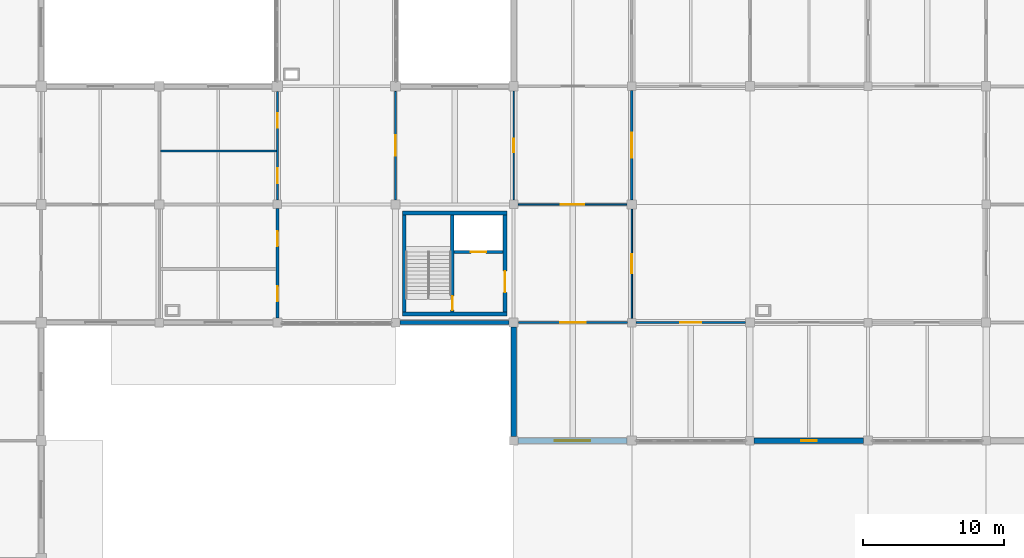
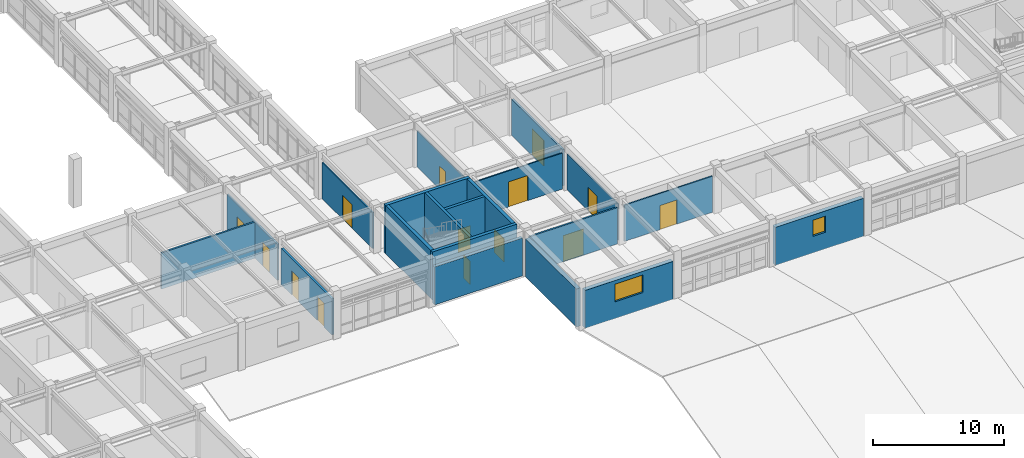
# One storey, part 62 of 78: 20 walls, 14 doors, 2 windows, 16 openings.
"""IFC4 building model written with IfcOpenShell, lengths in metres."""

from ifc_helpers import new_model, si_unit, direction, frame, frame_2d, origin, place, context, subcontext, project, spatial, rectangle, extrude, material, layer, layer_set, type_object, element, fill, save


model = new_model("IFC4")

# Units and contexts
model_context = context("Model", 3, precision=1e-05, world=origin(), true_north=direction((0.0, 1.0)))
body_context = subcontext(model_context, "Body", "Model", "MODEL_VIEW")
ifc_project = project(units=[si_unit("LENGTHUNIT", "METRE"), si_unit("AREAUNIT", "SQUARE_METRE"), si_unit("VOLUMEUNIT", "CUBIC_METRE"), si_unit("PLANEANGLEUNIT", "RADIAN"), si_unit("MASSUNIT", "GRAM", prefix="KILO")], contexts=[model_context])

# Site, building, storey
site_placement = place(None, origin())
site = spatial("IfcSite", under=ifc_project, at=site_placement, CompositionType="ELEMENT")
building_placement = place(site_placement, origin())
building = spatial("IfcBuilding", under=site, at=building_placement, Name="Porcellanite Civic Hall", CompositionType="ELEMENT")
storey_placement = place(building_placement, frame((0.0, 0.0, 10.260009765625)))
storey = spatial("IfcBuildingStorey", under=building, at=storey_placement, Name="L02", CompositionType="ELEMENT", Elevation=10.260009765625)

# Wall, opening, door
ifc_material_1 = material(Name="Concrete N40 (40 MPa)", Category="concrete")
ifc_layer_1 = layer(ifc_material_1, 0.239990234375)
ifc_layer_set_1 = layer_set([ifc_layer_1], Name="Concrete N40 (40 MPa)")
wall_type_1 = type_object("IfcWallType", Name="CW-SH240", PredefinedType="SHEAR", material=ifc_layer_set_1)
wall_1_placement = place(storey_placement, frame((62.840087890625, 51.159912109375, 0.0), z_axis=(0.0, 0.0, 1.0), x_axis=(0.0, 1.0, 0.0)))
wall_1 = element("IfcWall", 1, at=wall_1_placement, inside=storey, type_object=wall_type_1, Name="Core divider C5 L02", PredefinedType="SHEAR", context=body_context, shape_type="SweptSolid", body=[
    extrude(rectangle(XDim=6.880126953125, YDim=0.239990234375, at=frame_2d((3.43994140625, 0.0))), origin(), (0.0, 0.0, 1.0), 4.5),
])
opening_1_placement = place(wall_1_placement, frame((0.1201171875, 0.0, 0.0)))
opening_1 = element("IfcOpeningElement", 2, at=opening_1_placement, cuts=wall_1, Name="Opening FD-C5-L02-ST", PredefinedType="OPENING", context=body_context, shape_type="SweptSolid", body=[
    extrude(rectangle(XDim=1.0, YDim=2.14990234375, at=frame_2d((0.5, 1.074951171875))), frame((0.0, 0.1201171875, 0.0), z_axis=(0.0, -1.0, 0.0), x_axis=(1.0, 0.0, 0.0)), (0.0, 0.0, 1.0), 0.239990234375),
])
ifc_material_2 = material(Name="Fire-rated solid-core hardwood timber", Category="wood")
door_type_1 = type_object("IfcDoorType", Name="DR-FD100", OperationType="NOTDEFINED", PredefinedType="DOOR", material=ifc_material_2)
door_1_placement = place(opening_1_placement, origin())
door_1 = element("IfcDoor", 3, at=door_1_placement, inside=storey, type_object=door_type_1, Name="Fire stair door FD-C5-L02-ST", OperationType="SINGLE_SWING_RIGHT", OverallHeight=2.14990234375, OverallWidth=1.0, PredefinedType="DOOR", context=body_context, shape_type="SweptSolid", body=[
    extrude(rectangle(XDim=1.0, YDim=2.14990234375, at=frame_2d((0.5, 1.074951171875))), frame((0.0, 0.02490234375, 0.0), z_axis=(0.0, -1.0, 0.0), x_axis=(1.0, 0.0, 0.0)), (0.0, 0.0, 1.0), 0.050048828125),
])
fill(opening_1, door_1)

wall_2_placement = place(storey_placement, frame((62.9599609375, 55.419921875, 0.0), z_axis=(0.0, 0.0, 1.0), x_axis=(1.0, 0.0, 0.0)))
wall_2 = element("IfcWall", 4, at=wall_2_placement, inside=storey, type_object=wall_type_1, Name="Lift shaft wall C5 L02", PredefinedType="SHEAR", context=body_context, shape_type="SweptSolid", body=[
    extrude(rectangle(XDim=3.47998046875, YDim=0.239990234375, at=frame_2d((1.739990234375, 0.0))), origin(), (0.0, 0.0, 1.0), 4.5),
])
opening_2_placement = place(wall_2_placement, frame((1.18994140625, 0.0, 0.0)))
opening_2 = element("IfcOpeningElement", 5, at=opening_2_placement, cuts=wall_2, Name="Opening LD-05", PredefinedType="OPENING", context=body_context, shape_type="SweptSolid", body=[
    extrude(rectangle(XDim=1.10009765625, YDim=2.14990234375, at=frame_2d((0.550048828125, 1.074951171875))), frame((0.0, 0.1201171875, 0.0), z_axis=(0.0, -1.0, 0.0), x_axis=(1.0, 0.0, 0.0)), (0.0, 0.0, 1.0), 0.239990234375),
])
ifc_material_3 = material(Name="Brushed stainless steel 316", Category="steel")
door_type_2 = type_object("IfcDoorType", Name="DR-LD110", OperationType="DOUBLE_DOOR_SLIDING", PredefinedType="DOOR", material=ifc_material_3)
door_2_placement = place(opening_2_placement, origin())
door_2 = element("IfcDoor", 6, at=door_2_placement, inside=storey, type_object=door_type_2, Name="Lift landing sliding door LD-05 L02", OperationType="DOUBLE_DOOR_SLIDING", OverallHeight=2.14990234375, OverallWidth=1.10009765625, PredefinedType="DOOR", context=body_context, shape_type="SweptSolid", body=[
    extrude(rectangle(XDim=1.10009765625, YDim=2.14990234375, at=frame_2d((0.550048828125, 1.074951171875))), frame((0.0, 0.02490234375, 0.0), z_axis=(0.0, -1.0, 0.0), x_axis=(1.0, 0.0, 0.0)), (0.0, 0.0, 1.0), 0.050048828125),
])
fill(opening_2, door_2)

# Walls
ifc_material_4 = material(Name="Concrete N40 (40 MPa)", Category="concrete")
ifc_layer_2 = layer(ifc_material_4, 0.280029296875)
ifc_layer_set_2 = layer_set([ifc_layer_2], Name="Concrete N40 (40 MPa)")
wall_type_2 = type_object("IfcWallType", Name="CW-SH280", PredefinedType="SHEAR", material=ifc_layer_set_2)
wall_3_placement = place(storey_placement, frame((66.719970703125, 51.02001953125, 0.0), z_axis=(0.0, 0.0, 1.0), x_axis=(-1.0, 0.0, 0.0)))
element("IfcWall", 7, at=wall_3_placement, inside=storey, type_object=wall_type_2, Name="Core wall C5 L02 S", PredefinedType="SHEAR", context=body_context, shape_type="SweptSolid", body=[
    extrude(rectangle(XDim=7.43994140625, YDim=0.280029296875, at=frame_2d((3.719970703125, 0.0))), origin(), (0.0, 0.0, 1.0), 4.5),
])
wall_4_placement = place(storey_placement, frame((59.419921875, 51.159912109375, 0.0), z_axis=(0.0, 0.0, 1.0), x_axis=(0.0, 1.0, 0.0)))
element("IfcWall", 8, at=wall_4_placement, inside=storey, type_object=wall_type_2, Name="Core wall C5 L02 W", PredefinedType="SHEAR", context=body_context, shape_type="SweptSolid", body=[
    extrude(rectangle(XDim=6.880126953125, YDim=0.280029296875, at=frame_2d((3.43994140625, 0.0))), origin(), (0.0, 0.0, 1.0), 4.5),
])
wall_5_placement = place(storey_placement, frame((59.280029296875, 58.179931640625, 0.0), z_axis=(0.0, 0.0, 1.0), x_axis=(1.0, 0.0, 0.0)))
element("IfcWall", 9, at=wall_5_placement, inside=storey, type_object=wall_type_2, Name="Core wall C5 L02 N", PredefinedType="SHEAR", context=body_context, shape_type="SweptSolid", body=[
    extrude(rectangle(XDim=7.43994140625, YDim=0.280029296875, at=frame_2d((3.719970703125, 0.0))), origin(), (0.0, 0.0, 1.0), 4.5),
])

# Wall, opening, door
wall_6_placement = place(storey_placement, frame((66.580078125, 58.0400390625, 0.0), z_axis=(0.0, 0.0, 1.0), x_axis=(0.0, -1.0, 0.0)))
wall_6 = element("IfcWall", 10, at=wall_6_placement, inside=storey, type_object=wall_type_2, Name="Core wall C5 L02 E", PredefinedType="SHEAR", context=body_context, shape_type="SweptSolid", body=[
    extrude(rectangle(XDim=6.880126953125, YDim=0.280029296875, at=frame_2d((3.43994140625, 0.0))), origin(), (0.0, 0.0, 1.0), 4.5),
])
opening_3_placement = place(wall_6_placement, frame((3.989990234375, 0.0, 0.0)))
opening_3 = element("IfcOpeningElement", 11, at=opening_3_placement, cuts=wall_6, Name="Opening FD-C5-L02-LB", PredefinedType="OPENING", context=body_context, shape_type="SweptSolid", body=[
    extrude(rectangle(XDim=1.5, YDim=2.14990234375, at=frame_2d((0.75, 1.074951171875))), frame((0.0, 0.14013671875, 0.0), z_axis=(0.0, -1.0, 0.0), x_axis=(1.0, 0.0, 0.0)), (0.0, 0.0, 1.0), 0.280029296875),
])
ifc_material_5 = material(Name="Fire-rated steel and Georgian wired glass", Category="steel")
door_type_3 = type_object("IfcDoorType", Name="DR-FD150", OperationType="DOUBLE_DOOR_SINGLE_SWING", PredefinedType="DOOR", material=ifc_material_5)
door_3_placement = place(opening_3_placement, origin())
door_3 = element("IfcDoor", 12, at=door_3_placement, inside=storey, type_object=door_type_3, Name="Fire lobby double door FD-C5-L02-LB", OperationType="DOUBLE_DOOR_SINGLE_SWING", OverallHeight=2.14990234375, OverallWidth=1.5, PredefinedType="DOOR", context=body_context, shape_type="SweptSolid", body=[
    extrude(rectangle(XDim=1.5, YDim=2.14990234375, at=frame_2d((0.75, 1.074951171875))), frame((0.0, 0.02490234375, 0.0), z_axis=(0.0, -1.0, 0.0), x_axis=(1.0, 0.0, 0.0)), (0.0, 0.0, 1.0), 0.050048828125),
])
fill(opening_3, door_3)

# Wall
ifc_material_6 = material(Name="Precast concrete N40 (40 MPa)", Category="concrete")
ifc_layer_3 = layer(ifc_material_6, 0.280029296875)
ifc_layer_set_3 = layer_set([ifc_layer_3], Name="Precast concrete N40 (40 MPa)")
wall_type_3 = type_object("IfcWallType", Name="EW-CLO280", PredefinedType="SOLIDWALL", material=ifc_layer_set_3)
wall_7_placement = place(storey_placement, frame((66.8740234375, 50.39990234375, 0.0), z_axis=(0.0, 0.0, 1.0), x_axis=(-1.0, 0.0, 0.0)))
element("IfcWall", 13, at=wall_7_placement, inside=storey, type_object=wall_type_3, Name="Exterior wall L02 S 8-7", PredefinedType="SOLIDWALL", context=body_context, shape_type="SweptSolid", body=[
    extrude(rectangle(XDim=7.77294921875, YDim=0.280029296875, at=frame_2d((3.886474609375, 0.0))), origin(), (0.0, 0.0, 1.0), 3.5400390625),
])

# Wall, opening, window
ifc_material_7 = material(Name="Precast concrete N40 (40 MPa)", Category="concrete")
ifc_layer_4 = layer(ifc_material_7, 0.3798828125)
ifc_layer_set_4 = layer_set([ifc_layer_4], Name="Precast concrete N40 (40 MPa)")
wall_type_4 = type_object("IfcWallType", Name="EW-DRUM380", PredefinedType="SOLIDWALL", material=ifc_layer_set_4)
wall_8_placement = place(storey_placement, frame((75.27392578125, 42.0, 0.0), z_axis=(0.0, 0.0, 1.0), x_axis=(-1.0, 0.0, 0.0)))
wall_8 = element("IfcWall", 14, at=wall_8_placement, inside=storey, type_object=wall_type_4, Name="Exterior wall L02 S 9-6", PredefinedType="SOLIDWALL", context=body_context, shape_type="SweptSolid", body=[
    extrude(rectangle(XDim=7.77294921875, YDim=0.3798828125, at=frame_2d((3.886474609375, 0.0))), origin(), (0.0, 0.0, 1.0), 3.5400390625),
])
opening_4_placement = place(wall_8_placement, frame((2.635986328125, 0.0, 1.550048828125)))
opening_4 = element("IfcOpeningElement", 15, at=opening_4_placement, cuts=wall_8, Name="Opening W18", PredefinedType="OPENING", context=body_context, shape_type="SweptSolid", body=[
    extrude(rectangle(XDim=2.5, YDim=1.64990234375, at=frame_2d((1.25, 0.824951171875))), frame((0.0, 0.18994140625, 0.0), z_axis=(0.0, -1.0, 0.0), x_axis=(1.0, 0.0, 0.0)), (0.0, 0.0, 1.0), 0.3798828125),
])
ifc_material_8 = material(Name="Cyclone laminated low-E glazing in anodised aluminium frame", Category="aluminium")
window_type_1 = type_object("IfcWindowType", Name="WN-18", PartitioningType="DOUBLE_PANEL_VERTICAL", PredefinedType="WINDOW", material=ifc_material_8)
window_1_placement = place(opening_4_placement, origin())
window_1 = element("IfcWindow", 16, at=window_1_placement, inside=storey, type_object=window_type_1, Name="Window W18 L02 S 9-6", OverallHeight=1.64990234375, OverallWidth=2.5, PartitioningType="SINGLE_PANEL", PredefinedType="WINDOW", context=body_context, shape_type="SweptSolid", body=[
    extrude(rectangle(XDim=2.5, YDim=1.64990234375, at=frame_2d((1.25, 0.824951171875))), frame((0.0, 0.030029296875, 0.0), z_axis=(0.0, -1.0, 0.0), x_axis=(1.0, 0.0, 0.0)), (0.0, 0.0, 1.0), 0.06005859375),
])
fill(opening_4, window_1)

# Wall
wall_9_placement = place(storey_placement, frame((67.199951171875, 42.301025390625, 0.0), z_axis=(0.0, 0.0, 1.0), x_axis=(0.0, 1.0, 0.0)))
element("IfcWall", 17, at=wall_9_placement, inside=storey, type_object=wall_type_4, Name="Exterior wall L02 W 9-6", PredefinedType="SOLIDWALL", context=body_context, shape_type="SweptSolid", body=[
    extrude(rectangle(XDim=7.77294921875, YDim=0.3798828125, at=frame_2d((3.886474609375, 0.0))), origin(), (0.0, 0.0, 1.0), 3.5400390625),
])

# Wall, opening, window
wall_10_placement = place(storey_placement, frame((92.073974609375, 42.0, 0.0), z_axis=(0.0, 0.0, 1.0), x_axis=(-1.0, 0.0, 0.0)))
wall_10 = element("IfcWall", 18, at=wall_10_placement, inside=storey, type_object=wall_type_4, Name="Exterior wall L02 S 11-6", PredefinedType="SOLIDWALL", context=body_context, shape_type="SweptSolid", body=[
    extrude(rectangle(XDim=7.77294921875, YDim=0.3798828125, at=frame_2d((3.886474609375, 0.0))), origin(), (0.0, 0.0, 1.0), 3.5400390625),
])
opening_5_placement = place(wall_10_placement, frame((3.3369140625, 0.0, 1.550048828125)))
opening_5 = element("IfcOpeningElement", 19, at=opening_5_placement, cuts=wall_10, Name="Opening W24", PredefinedType="OPENING", context=body_context, shape_type="SweptSolid", body=[
    extrude(rectangle(XDim=1.10009765625, YDim=1.5, at=frame_2d((0.550048828125, 0.75))), frame((0.0, 0.18994140625, 0.0), z_axis=(0.0, -1.0, 0.0), x_axis=(1.0, 0.0, 0.0)), (0.0, 0.0, 1.0), 0.3798828125),
])
ifc_material_9 = material(Name="Cyclone laminated low-E glazing in anodised aluminium frame", Category="aluminium")
window_type_2 = type_object("IfcWindowType", Name="WN-24", PartitioningType="SINGLE_PANEL", PredefinedType="WINDOW", material=ifc_material_9)
window_2_placement = place(opening_5_placement, origin())
window_2 = element("IfcWindow", 20, at=window_2_placement, inside=storey, type_object=window_type_2, Name="Window W24 L02 S 11-6", OverallHeight=1.5, OverallWidth=1.10009765625, PartitioningType="SINGLE_PANEL", PredefinedType="WINDOW", context=body_context, shape_type="SweptSolid", body=[
    extrude(rectangle(XDim=1.10009765625, YDim=1.5, at=frame_2d((0.550048828125, 0.75))), frame((0.0, 0.030029296875, 0.0), z_axis=(0.0, -1.0, 0.0), x_axis=(1.0, 0.0, 0.0)), (0.0, 0.0, 1.0), 0.06005859375),
])
fill(opening_5, window_2)

# Wall, opening, door
ifc_material_10 = material(Name="Insulated acoustic plasterboard on light-gauge steel studs", Category="steel")
ifc_layer_5 = layer(ifc_material_10, 0.087890625)
ifc_layer_set_5 = layer_set([ifc_layer_5], Name="Insulated acoustic plasterboard on light-gauge steel studs")
wall_type_5 = type_object("IfcWallType", Name="IW-PT088", PredefinedType="PARTITIONING", material=ifc_layer_set_5)
wall_11_placement = place(storey_placement, frame((67.199951171875, 59.10205078125, 0.0), z_axis=(0.0, 0.0, 1.0), x_axis=(0.0, 1.0, 0.0)))
wall_11 = element("IfcWall", 21, at=wall_11_placement, inside=storey, type_object=wall_type_5, Name="Partition L02 V 8-8", PredefinedType="PARTITIONING", context=body_context, shape_type="SweptSolid", body=[
    extrude(rectangle(XDim=7.77099609375, YDim=0.087890625, at=frame_2d((3.885498046875, 0.0))), origin(), (0.0, 0.0, 1.0), 3.369873046875),
])
opening_6_placement = place(wall_11_placement, frame((3.4150390625, 0.0, 0.0)))
opening_6 = element("IfcOpeningElement", 22, at=opening_6_placement, cuts=wall_11, Name="Opening D-L02-384", PredefinedType="OPENING", context=body_context, shape_type="SweptSolid", body=[
    extrude(rectangle(XDim=0.93994140625, YDim=2.14990234375, at=frame_2d((0.469970703125, 1.074951171875))), frame((0.0, 0.0439453125, 0.0), z_axis=(0.0, -1.0, 0.0), x_axis=(1.0, 0.0, 0.0)), (0.0, 0.0, 1.0), 0.087890625),
])
ifc_material_11 = material(Name="Solid-core spotted-gum timber", Category="wood")
door_type_4 = type_object("IfcDoorType", Name="DR-RM094", OperationType="NOTDEFINED", PredefinedType="DOOR", material=ifc_material_11)
door_4_placement = place(opening_6_placement, origin())
door_4 = element("IfcDoor", 23, at=door_4_placement, inside=storey, type_object=door_type_4, Name="Interior door D-L02-384", OperationType="SINGLE_SWING_RIGHT", OverallHeight=2.14990234375, OverallWidth=0.93994140625, PredefinedType="DOOR", context=body_context, shape_type="SweptSolid", body=[
    extrude(rectangle(XDim=0.93994140625, YDim=2.14990234375, at=frame_2d((0.469970703125, 1.074951171875))), frame((0.0, 0.02490234375, 0.0), z_axis=(0.0, -1.0, 0.0), x_axis=(1.0, 0.0, 0.0)), (0.0, 0.0, 1.0), 0.050048828125),
])
fill(opening_6, door_4)

ifc_material_12 = material(Name="Insulated acoustic plasterboard on light-gauge steel studs", Category="steel")
ifc_layer_6 = layer(ifc_material_12, 0.10498046875)
ifc_layer_set_6 = layer_set([ifc_layer_6], Name="Insulated acoustic plasterboard on light-gauge steel studs")
wall_type_6 = type_object("IfcWallType", Name="IW-PT105", PredefinedType="PARTITIONING", material=ifc_layer_set_6)
wall_12_placement = place(storey_placement, frame((67.501953125, 58.800048828125, 0.0), z_axis=(0.0, 0.0, 1.0), x_axis=(1.0, 0.0, 0.0)))
wall_12 = element("IfcWall", 24, at=wall_12_placement, inside=storey, type_object=wall_type_6, Name="Partition L02 H 9-7", PredefinedType="PARTITIONING", context=body_context, shape_type="SweptSolid", body=[
    extrude(rectangle(XDim=7.77099609375, YDim=0.10498046875, at=frame_2d((3.885498046875, 0.0))), origin(), (0.0, 0.0, 1.0), 3.369873046875),
])
opening_7_placement = place(wall_12_placement, frame((3.034912109375, 0.0, 0.0)))
opening_7 = element("IfcOpeningElement", 25, at=opening_7_placement, cuts=wall_12, Name="Opening D-L02-330", PredefinedType="OPENING", context=body_context, shape_type="SweptSolid", body=[
    extrude(rectangle(XDim=1.699951171875, YDim=2.35009765625, at=frame_2d((0.85009765625, 1.175048828125))), frame((0.0, 0.052490234375, 0.0), z_axis=(0.0, -1.0, 0.0), x_axis=(1.0, 0.0, 0.0)), (0.0, 0.0, 1.0), 0.10498046875),
])
ifc_material_13 = material(Name="Acoustic spotted-gum timber and safety glass", Category="wood")
door_type_5 = type_object("IfcDoorType", Name="DR-AS170", OperationType="DOUBLE_DOOR_SINGLE_SWING", PredefinedType="DOOR", material=ifc_material_13)
door_5_placement = place(opening_7_placement, origin())
door_5 = element("IfcDoor", 26, at=door_5_placement, inside=storey, type_object=door_type_5, Name="Interior door D-L02-330", OperationType="DOUBLE_DOOR_SINGLE_SWING", OverallHeight=2.35009765625, OverallWidth=1.699951171875, PredefinedType="DOOR", context=body_context, shape_type="SweptSolid", body=[
    extrude(rectangle(XDim=1.699951171875, YDim=2.35009765625, at=frame_2d((0.85009765625, 1.175048828125))), frame((0.0, 0.02490234375, 0.0), z_axis=(0.0, -1.0, 0.0), x_axis=(1.0, 0.0, 0.0)), (0.0, 0.0, 1.0), 0.050048828125),
])
fill(opening_7, door_5)

wall_13_placement = place(storey_placement, frame((75.60009765625, 50.701904296875, 0.0), z_axis=(0.0, 0.0, 1.0), x_axis=(0.0, 1.0, 0.0)))
wall_13 = element("IfcWall", 27, at=wall_13_placement, inside=storey, type_object=wall_type_6, Name="Partition L02 V 9-7", PredefinedType="PARTITIONING", context=body_context, shape_type="SweptSolid", body=[
    extrude(rectangle(XDim=7.77099609375, YDim=0.10498046875, at=frame_2d((3.885498046875, 0.0))), origin(), (0.0, 0.0, 1.0), 3.369873046875),
])
opening_8_placement = place(wall_13_placement, frame((3.2099609375, 0.0, 0.0)))
opening_8 = element("IfcOpeningElement", 28, at=opening_8_placement, cuts=wall_13, Name="Opening D-L02-356", PredefinedType="OPENING", context=body_context, shape_type="SweptSolid", body=[
    extrude(rectangle(XDim=1.35009765625, YDim=2.199951171875, at=frame_2d((0.675048828125, 1.10009765625))), frame((0.0, 0.052490234375, 0.0), z_axis=(0.0, -1.0, 0.0), x_axis=(1.0, 0.0, 0.0)), (0.0, 0.0, 1.0), 0.10498046875),
])
ifc_material_14 = material(Name="Acoustic spotted-gum timber and safety glass", Category="wood")
door_type_6 = type_object("IfcDoorType", Name="DR-AS135", OperationType="DOUBLE_DOOR_SINGLE_SWING", PredefinedType="DOOR", material=ifc_material_14)
door_6_placement = place(opening_8_placement, origin())
door_6 = element("IfcDoor", 29, at=door_6_placement, inside=storey, type_object=door_type_6, Name="Interior door D-L02-356", OperationType="DOUBLE_DOOR_SINGLE_SWING", OverallHeight=2.199951171875, OverallWidth=1.35009765625, PredefinedType="DOOR", context=body_context, shape_type="SweptSolid", body=[
    extrude(rectangle(XDim=1.35009765625, YDim=2.199951171875, at=frame_2d((0.675048828125, 1.10009765625))), frame((0.0, 0.02490234375, 0.0), z_axis=(0.0, -1.0, 0.0), x_axis=(1.0, 0.0, 0.0)), (0.0, 0.0, 1.0), 0.050048828125),
])
fill(opening_8, door_6)

ifc_material_15 = material(Name="Insulated acoustic plasterboard on light-gauge steel studs", Category="steel")
ifc_layer_7 = layer(ifc_material_15, 0.114990234375)
ifc_layer_set_7 = layer_set([ifc_layer_7], Name="Insulated acoustic plasterboard on light-gauge steel studs")
wall_type_7 = type_object("IfcWallType", Name="IW-PT115", PredefinedType="PARTITIONING", material=ifc_layer_set_7)
wall_14_placement = place(storey_placement, frame((58.800048828125, 59.126953125, 0.0), z_axis=(0.0, 0.0, 1.0), x_axis=(0.0, 1.0, 0.0)))
wall_14 = element("IfcWall", 30, at=wall_14_placement, inside=storey, type_object=wall_type_7, Name="Partition L02 V 7-8", PredefinedType="PARTITIONING", context=body_context, shape_type="SweptSolid", body=[
    extrude(rectangle(XDim=7.720947265625, YDim=0.114990234375, at=frame_2d((3.8603515625, 0.0))), origin(), (0.0, 0.0, 1.0), 3.369873046875),
])
opening_9_placement = place(wall_14_placement, frame((3.135009765625, 0.0, 0.0)))
opening_9 = element("IfcOpeningElement", 31, at=opening_9_placement, cuts=wall_14, Name="Opening D-L02-354", PredefinedType="OPENING", context=body_context, shape_type="SweptSolid", body=[
    extrude(rectangle(XDim=1.449951171875, YDim=2.199951171875, at=frame_2d((0.72509765625, 1.10009765625))), frame((0.0, 0.0576171875, 0.0), z_axis=(0.0, -1.0, 0.0), x_axis=(1.0, 0.0, 0.0)), (0.0, 0.0, 1.0), 0.114990234375),
])
ifc_material_16 = material(Name="Acoustic spotted-gum timber and safety glass", Category="wood")
door_type_7 = type_object("IfcDoorType", Name="DR-AS145", OperationType="DOUBLE_DOOR_SINGLE_SWING", PredefinedType="DOOR", material=ifc_material_16)
door_7_placement = place(opening_9_placement, origin())
door_7 = element("IfcDoor", 32, at=door_7_placement, inside=storey, type_object=door_type_7, Name="Interior door D-L02-354", OperationType="DOUBLE_DOOR_SINGLE_SWING", OverallHeight=2.199951171875, OverallWidth=1.449951171875, PredefinedType="DOOR", context=body_context, shape_type="SweptSolid", body=[
    extrude(rectangle(XDim=1.449951171875, YDim=2.199951171875, at=frame_2d((0.72509765625, 1.10009765625))), frame((0.0, 0.02490234375, 0.0), z_axis=(0.0, -1.0, 0.0), x_axis=(1.0, 0.0, 0.0)), (0.0, 0.0, 1.0), 0.050048828125),
])
fill(opening_9, door_7)

ifc_material_17 = material(Name="Insulated acoustic plasterboard on light-gauge steel studs", Category="steel")
ifc_layer_8 = layer(ifc_material_17, 0.125)
ifc_layer_set_8 = layer_set([ifc_layer_8], Name="Insulated acoustic plasterboard on light-gauge steel studs")
wall_type_8 = type_object("IfcWallType", Name="IW-PT125", PredefinedType="PARTITIONING", material=ifc_layer_set_8)
wall_15_placement = place(storey_placement, frame((75.902099609375, 50.39990234375, 0.0), z_axis=(0.0, 0.0, 1.0), x_axis=(1.0, 0.0, 0.0)))
wall_15 = element("IfcWall", 33, at=wall_15_placement, inside=storey, type_object=wall_type_8, Name="Partition L02 H 10-6", PredefinedType="PARTITIONING", context=body_context, shape_type="SweptSolid", body=[
    extrude(rectangle(XDim=7.77099609375, YDim=0.125, at=frame_2d((3.885498046875, 0.0))), origin(), (0.0, 0.0, 1.0), 3.369873046875),
])
opening_10_placement = place(wall_15_placement, frame((3.135009765625, 0.0, 0.0)))
opening_10 = element("IfcOpeningElement", 34, at=opening_10_placement, cuts=wall_15, Name="Opening D-L02-332", PredefinedType="OPENING", context=body_context, shape_type="SweptSolid", body=[
    extrude(rectangle(XDim=1.5, YDim=2.25, at=frame_2d((0.75, 1.125))), frame((0.0, 0.0625, 0.0), z_axis=(0.0, -1.0, 0.0), x_axis=(1.0, 0.0, 0.0)), (0.0, 0.0, 1.0), 0.125),
])
ifc_material_18 = material(Name="Acoustic spotted-gum timber and safety glass", Category="wood")
door_type_8 = type_object("IfcDoorType", Name="DR-AS150", OperationType="DOUBLE_DOOR_SINGLE_SWING", PredefinedType="DOOR", material=ifc_material_18)
door_8_placement = place(opening_10_placement, origin())
door_8 = element("IfcDoor", 35, at=door_8_placement, inside=storey, type_object=door_type_8, Name="Interior door D-L02-332", OperationType="DOUBLE_DOOR_SINGLE_SWING", OverallHeight=2.25, OverallWidth=1.5, PredefinedType="DOOR", context=body_context, shape_type="SweptSolid", body=[
    extrude(rectangle(XDim=1.5, YDim=2.25, at=frame_2d((0.75, 1.125))), frame((0.0, 0.02490234375, 0.0), z_axis=(0.0, -1.0, 0.0), x_axis=(1.0, 0.0, 0.0)), (0.0, 0.0, 1.0), 0.050048828125),
])
fill(opening_10, door_8)

# Wall, openings, doors
ifc_material_19 = material(Name="Insulated acoustic plasterboard on light-gauge steel studs", Category="steel")
ifc_layer_9 = layer(ifc_material_19, 0.14501953125)
ifc_layer_set_9 = layer_set([ifc_layer_9], Name="Insulated acoustic plasterboard on light-gauge steel studs")
wall_type_9 = type_object("IfcWallType", Name="IW-PT145", PredefinedType="PARTITIONING", material=ifc_layer_set_9)
wall_16_placement = place(storey_placement, frame((50.39990234375, 59.10205078125, 0.0), z_axis=(0.0, 0.0, 1.0), x_axis=(0.0, 1.0, 0.0)))
wall_16 = element("IfcWall", 36, at=wall_16_placement, inside=storey, type_object=wall_type_9, Name="Partition L02 V 6-8", PredefinedType="PARTITIONING", context=body_context, shape_type="SweptSolid", body=[
    extrude(rectangle(XDim=7.720947265625, YDim=0.14501953125, at=frame_2d((3.8603515625, 0.0))), origin(), (0.0, 0.0, 1.0), 3.369873046875),
])
opening_11_placement = place(wall_16_placement, frame((1.218017578125, 0.0, 0.0)))
opening_11 = element("IfcOpeningElement", 37, at=opening_11_placement, cuts=wall_16, Name="Opening D-L02-314", PredefinedType="OPENING", context=body_context, shape_type="SweptSolid", body=[
    extrude(rectangle(XDim=1.0400390625, YDim=2.199951171875, at=frame_2d((0.52001953125, 1.10009765625))), frame((0.0, 0.072509765625, 0.0), z_axis=(0.0, -1.0, 0.0), x_axis=(1.0, 0.0, 0.0)), (0.0, 0.0, 1.0), 0.14501953125),
])
opening_12_placement = place(wall_16_placement, frame((5.14794921875, 0.0, 0.0)))
opening_12 = element("IfcOpeningElement", 38, at=opening_12_placement, cuts=wall_16, Name="Opening D-L02-315", PredefinedType="OPENING", context=body_context, shape_type="SweptSolid", body=[
    extrude(rectangle(XDim=1.02001953125, YDim=2.199951171875, at=frame_2d((0.510009765625, 1.10009765625))), frame((0.0, 0.072509765625, 0.0), z_axis=(0.0, -1.0, 0.0), x_axis=(1.0, 0.0, 0.0)), (0.0, 0.0, 1.0), 0.14501953125),
])
ifc_material_20 = material(Name="Solid-core spotted-gum timber", Category="wood")
door_type_9 = type_object("IfcDoorType", Name="DR-RM102", OperationType="NOTDEFINED", PredefinedType="DOOR", material=ifc_material_20)
door_9_placement = place(opening_12_placement, origin())
door_9 = element("IfcDoor", 39, at=door_9_placement, inside=storey, type_object=door_type_9, Name="Interior door D-L02-315", OperationType="SINGLE_SWING_LEFT", OverallHeight=2.199951171875, OverallWidth=1.02001953125, PredefinedType="DOOR", context=body_context, shape_type="SweptSolid", body=[
    extrude(rectangle(XDim=1.02001953125, YDim=2.199951171875, at=frame_2d((0.510009765625, 1.10009765625))), frame((0.0, 0.02490234375, 0.0), z_axis=(0.0, -1.0, 0.0), x_axis=(1.0, 0.0, 0.0)), (0.0, 0.0, 1.0), 0.050048828125),
])
fill(opening_12, door_9)
ifc_material_21 = material(Name="Solid-core spotted-gum timber", Category="wood")
door_type_10 = type_object("IfcDoorType", Name="DR-RM104", OperationType="NOTDEFINED", PredefinedType="DOOR", material=ifc_material_21)
door_10_placement = place(opening_11_placement, origin())
door_10 = element("IfcDoor", 40, at=door_10_placement, inside=storey, type_object=door_type_10, Name="Interior door D-L02-314", OperationType="SINGLE_SWING_RIGHT", OverallHeight=2.199951171875, OverallWidth=1.0400390625, PredefinedType="DOOR", context=body_context, shape_type="SweptSolid", body=[
    extrude(rectangle(XDim=1.0400390625, YDim=2.199951171875, at=frame_2d((0.52001953125, 1.10009765625))), frame((0.0, 0.02490234375, 0.0), z_axis=(0.0, -1.0, 0.0), x_axis=(1.0, 0.0, 0.0)), (0.0, 0.0, 1.0), 0.050048828125),
])
fill(opening_11, door_10)

# Wall, opening, door
ifc_material_22 = material(Name="Insulated acoustic plasterboard on light-gauge steel studs", Category="steel")
ifc_layer_10 = layer(ifc_material_22, 0.155029296875)
ifc_layer_set_10 = layer_set([ifc_layer_10], Name="Insulated acoustic plasterboard on light-gauge steel studs")
wall_type_10 = type_object("IfcWallType", Name="IW-PT155", PredefinedType="PARTITIONING", material=ifc_layer_set_10)
wall_17_placement = place(storey_placement, frame((67.527099609375, 50.39990234375, 0.0), z_axis=(0.0, 0.0, 1.0), x_axis=(1.0, 0.0, 0.0)))
wall_17 = element("IfcWall", 41, at=wall_17_placement, inside=storey, type_object=wall_type_10, Name="Partition L02 H 9-6", PredefinedType="PARTITIONING", context=body_context, shape_type="SweptSolid", body=[
    extrude(rectangle(XDim=7.77099609375, YDim=0.155029296875, at=frame_2d((3.885498046875, 0.0))), origin(), (0.0, 0.0, 1.0), 3.369873046875),
])
opening_13_placement = place(wall_17_placement, frame((2.986083984375, 0.0, 0.0)))
opening_13 = element("IfcOpeningElement", 42, at=opening_13_placement, cuts=wall_17, Name="Opening D-L02-329", PredefinedType="OPENING", context=body_context, shape_type="SweptSolid", body=[
    extrude(rectangle(XDim=1.800048828125, YDim=2.39990234375, at=frame_2d((0.89990234375, 1.199951171875))), frame((0.0, 0.07763671875, 0.0), z_axis=(0.0, -1.0, 0.0), x_axis=(1.0, 0.0, 0.0)), (0.0, 0.0, 1.0), 0.155029296875),
])
ifc_material_23 = material(Name="Acoustic spotted-gum timber and safety glass", Category="wood")
door_type_11 = type_object("IfcDoorType", Name="DR-AS180", OperationType="DOUBLE_DOOR_SINGLE_SWING", PredefinedType="DOOR", material=ifc_material_23)
door_11_placement = place(opening_13_placement, origin())
door_11 = element("IfcDoor", 43, at=door_11_placement, inside=storey, type_object=door_type_11, Name="Interior door D-L02-329", OperationType="DOUBLE_DOOR_SINGLE_SWING", OverallHeight=2.39990234375, OverallWidth=1.800048828125, PredefinedType="DOOR", context=body_context, shape_type="SweptSolid", body=[
    extrude(rectangle(XDim=1.800048828125, YDim=2.39990234375, at=frame_2d((0.89990234375, 1.199951171875))), frame((0.0, 0.02490234375, 0.0), z_axis=(0.0, -1.0, 0.0), x_axis=(1.0, 0.0, 0.0)), (0.0, 0.0, 1.0), 0.050048828125),
])
fill(opening_13, door_11)

# Wall
ifc_material_24 = material(Name="Insulated acoustic plasterboard on light-gauge steel studs", Category="steel")
ifc_layer_11 = layer(ifc_material_24, 0.1650390625)
ifc_layer_set_11 = layer_set([ifc_layer_11], Name="Insulated acoustic plasterboard on light-gauge steel studs")
wall_type_11 = type_object("IfcWallType", Name="IW-PT165", PredefinedType="PARTITIONING", material=ifc_layer_set_11)
wall_18_placement = place(storey_placement, frame((42.089599609375, 62.60009765625, 0.0), z_axis=(0.0, 0.0, 1.0), x_axis=(1.0, 0.0, 0.0)))
element("IfcWall", 44, at=wall_18_placement, inside=storey, type_object=wall_type_11, Name="Partition L02 sub 6-8", PredefinedType="PARTITIONING", context=body_context, shape_type="SweptSolid", body=[
    extrude(rectangle(XDim=8.23583984375, YDim=0.1650390625, at=frame_2d((4.117919921875, 0.0))), origin(), (0.0, 0.0, 1.0), 3.369873046875),
])

# Wall, opening, door
ifc_material_25 = material(Name="Insulated acoustic plasterboard on light-gauge steel studs", Category="steel")
ifc_layer_12 = layer(ifc_material_25, 0.175048828125)
ifc_layer_set_12 = layer_set([ifc_layer_12], Name="Insulated acoustic plasterboard on light-gauge steel studs")
wall_type_12 = type_object("IfcWallType", Name="IW-PT175", PredefinedType="PARTITIONING", material=ifc_layer_set_12)
wall_19_placement = place(storey_placement, frame((75.60009765625, 59.126953125, 0.0), z_axis=(0.0, 0.0, 1.0), x_axis=(0.0, 1.0, 0.0)))
wall_19 = element("IfcWall", 45, at=wall_19_placement, inside=storey, type_object=wall_type_12, Name="Partition L02 V 9-8", PredefinedType="PARTITIONING", context=body_context, shape_type="SweptSolid", body=[
    extrude(rectangle(XDim=7.77099609375, YDim=0.175048828125, at=frame_2d((3.885498046875, 0.0))), origin(), (0.0, 0.0, 1.0), 3.369873046875),
])
opening_14_placement = place(wall_19_placement, frame((2.986083984375, 0.0, 0.0)))
opening_14 = element("IfcOpeningElement", 46, at=opening_14_placement, cuts=wall_19, Name="Opening D-L02-357", PredefinedType="OPENING", context=body_context, shape_type="SweptSolid", body=[
    extrude(rectangle(XDim=1.800048828125, YDim=2.39990234375, at=frame_2d((0.89990234375, 1.199951171875))), frame((0.0, 0.08740234375, 0.0), z_axis=(0.0, -1.0, 0.0), x_axis=(1.0, 0.0, 0.0)), (0.0, 0.0, 1.0), 0.175048828125),
])
door_12_placement = place(opening_14_placement, origin())
door_12 = element("IfcDoor", 47, at=door_12_placement, inside=storey, type_object=door_type_11, Name="Interior door D-L02-357", OperationType="DOUBLE_DOOR_SINGLE_SWING", OverallHeight=2.39990234375, OverallWidth=1.800048828125, PredefinedType="DOOR", context=body_context, shape_type="SweptSolid", body=[
    extrude(rectangle(XDim=1.800048828125, YDim=2.39990234375, at=frame_2d((0.89990234375, 1.199951171875))), frame((0.0, 0.02490234375, 0.0), z_axis=(0.0, -1.0, 0.0), x_axis=(1.0, 0.0, 0.0)), (0.0, 0.0, 1.0), 0.050048828125),
])
fill(opening_14, door_12)

# Wall, openings, doors
ifc_material_26 = material(Name="Insulated acoustic plasterboard on light-gauge steel studs", Category="steel")
ifc_layer_13 = layer(ifc_material_26, 0.195068359375)
ifc_layer_set_13 = layer_set([ifc_layer_13], Name="Insulated acoustic plasterboard on light-gauge steel studs")
wall_type_13 = type_object("IfcWallType", Name="IW-PT195", PredefinedType="PARTITIONING", material=ifc_layer_set_13)
wall_20_placement = place(storey_placement, frame((50.39990234375, 50.72705078125, 0.0), z_axis=(0.0, 0.0, 1.0), x_axis=(0.0, 1.0, 0.0)))
wall_20 = element("IfcWall", 48, at=wall_20_placement, inside=storey, type_object=wall_type_13, Name="Partition L02 V 6-7", PredefinedType="PARTITIONING", context=body_context, shape_type="SweptSolid", body=[
    extrude(rectangle(XDim=7.77099609375, YDim=0.195068359375, at=frame_2d((3.885498046875, 0.0))), origin(), (0.0, 0.0, 1.0), 3.369873046875),
])
opening_15_placement = place(wall_20_placement, frame((1.173095703125, 0.0, 0.0)))
opening_15 = element("IfcOpeningElement", 49, at=opening_15_placement, cuts=wall_20, Name="Opening D-L02-312", PredefinedType="OPENING", context=body_context, shape_type="SweptSolid", body=[
    extrude(rectangle(XDim=1.080078125, YDim=2.25, at=frame_2d((0.5400390625, 1.125))), frame((0.0, 0.09765625, 0.0), z_axis=(0.0, -1.0, 0.0), x_axis=(1.0, 0.0, 0.0)), (0.0, 0.0, 1.0), 0.195068359375),
])
opening_16_placement = place(wall_20_placement, frame((5.10302734375, 0.0, 0.0)))
opening_16 = element("IfcOpeningElement", 50, at=opening_16_placement, cuts=wall_20, Name="Opening D-L02-313", PredefinedType="OPENING", context=body_context, shape_type="SweptSolid", body=[
    extrude(rectangle(XDim=1.06005859375, YDim=2.25, at=frame_2d((0.530029296875, 1.125))), frame((0.0, 0.09765625, 0.0), z_axis=(0.0, -1.0, 0.0), x_axis=(1.0, 0.0, 0.0)), (0.0, 0.0, 1.0), 0.195068359375),
])
ifc_material_27 = material(Name="Solid-core spotted-gum timber", Category="wood")
door_type_12 = type_object("IfcDoorType", Name="DR-RM106", OperationType="NOTDEFINED", PredefinedType="DOOR", material=ifc_material_27)
door_13_placement = place(opening_16_placement, origin())
door_13 = element("IfcDoor", 51, at=door_13_placement, inside=storey, type_object=door_type_12, Name="Interior door D-L02-313", OperationType="SINGLE_SWING_LEFT", OverallHeight=2.25, OverallWidth=1.06005859375, PredefinedType="DOOR", context=body_context, shape_type="SweptSolid", body=[
    extrude(rectangle(XDim=1.06005859375, YDim=2.25, at=frame_2d((0.530029296875, 1.125))), frame((0.0, 0.02490234375, 0.0), z_axis=(0.0, -1.0, 0.0), x_axis=(1.0, 0.0, 0.0)), (0.0, 0.0, 1.0), 0.050048828125),
])
fill(opening_16, door_13)
ifc_material_28 = material(Name="Solid-core spotted-gum timber", Category="wood")
door_type_13 = type_object("IfcDoorType", Name="DR-RM108", OperationType="NOTDEFINED", PredefinedType="DOOR", material=ifc_material_28)
door_14_placement = place(opening_15_placement, origin())
door_14 = element("IfcDoor", 52, at=door_14_placement, inside=storey, type_object=door_type_13, Name="Interior door D-L02-312", OperationType="SINGLE_SWING_RIGHT", OverallHeight=2.25, OverallWidth=1.080078125, PredefinedType="DOOR", context=body_context, shape_type="SweptSolid", body=[
    extrude(rectangle(XDim=1.080078125, YDim=2.25, at=frame_2d((0.5400390625, 1.125))), frame((0.0, 0.02490234375, 0.0), z_axis=(0.0, -1.0, 0.0), x_axis=(1.0, 0.0, 0.0)), (0.0, 0.0, 1.0), 0.050048828125),
])
fill(opening_15, door_14)

save(model, "model.ifc")
